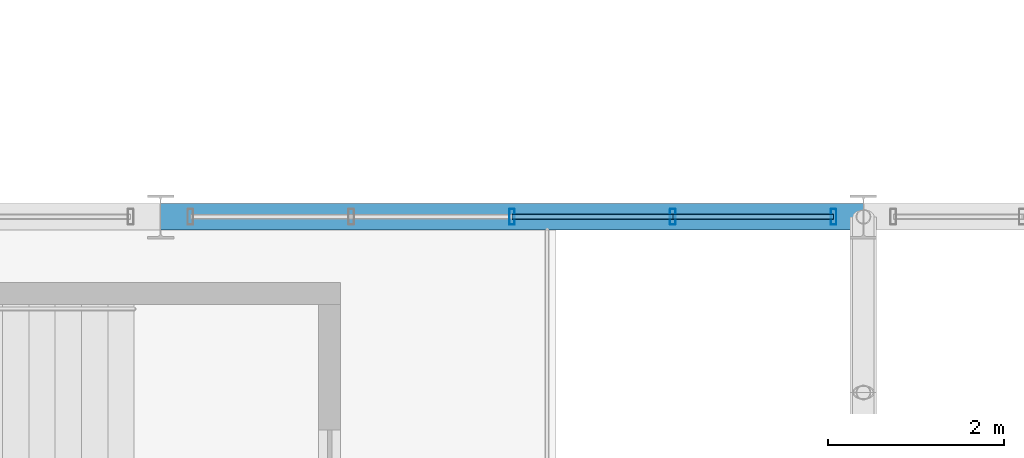
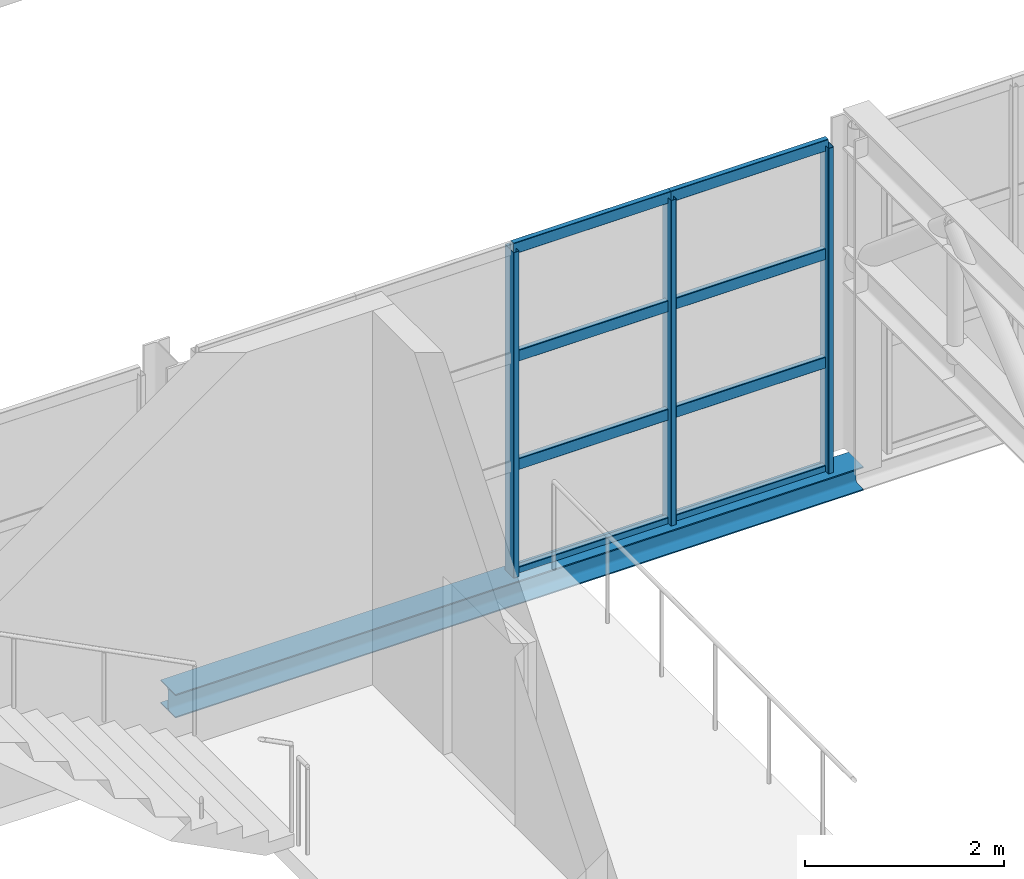
# One storey, part 29 of 67: 11 members, 1 beam, 1 element without a shape of its own.
"""IFC4 building model written with IfcOpenShell, lengths in metres."""

from ifc_helpers import new_model, si_unit, derived_unit, direction, frame, origin, origin_2d, place, context, subcontext, project, spatial, hollow_rectangle, i_section, extrude, material, material_profile, profile_set, type_object, element, aggregate, save


model = new_model("IFC4")

# Units and contexts
model_context = context("Model", 3, precision=1e-05, world=origin(), true_north=direction((0.0, 1.0)))
body_context = subcontext(model_context, "Body", "Model", "MODEL_VIEW")
ifc_project = project(units=[si_unit("LENGTHUNIT", "METRE"), si_unit("AREAUNIT", "SQUARE_METRE"), si_unit("VOLUMEUNIT", "CUBIC_METRE"), si_unit("PLANEANGLEUNIT", "RADIAN"), si_unit("MASSUNIT", "GRAM", prefix="KILO"), derived_unit("THERMALTRANSMITTANCEUNIT", [(si_unit("POWERUNIT", "WATT"), 1), (si_unit("LENGTHUNIT", "METRE"), -2), (si_unit("THERMODYNAMICTEMPERATUREUNIT", "KELVIN"), -1)])], contexts=[model_context])

# Site, building, storey
site_placement = place(None, origin())
site = spatial("IfcSite", under=ifc_project, at=site_placement, CompositionType="ELEMENT")
building_placement = place(site_placement, origin())
building = spatial("IfcBuilding", under=site, at=building_placement, Name="Keldorne Ridge Multi-Sports Centre", CompositionType="ELEMENT")
storey_placement = place(building_placement, frame((0.0, 0.0, 14.0)))
storey = spatial("IfcBuildingStorey", under=building, at=storey_placement, Name="L03", CompositionType="ELEMENT", Elevation=14.0)

# Beam
ifc_material_1 = material(Name="Steel S355", Category="steel")
ifc_material_profile_1 = material_profile(ifc_material_1, i_section(OverallWidth=0.300048828125, OverallDepth=0.2900390625, WebThickness=0.008544921875, FlangeThickness=0.013916015625, FilletRadius=0.027099609375, at=origin_2d()), Name="HEA 300")
ifc_profile_set_1 = profile_set([ifc_material_profile_1], Name="Steel S355")
beam_type = type_object("IfcBeamType", Name="BM-SP-04", PredefinedType="SPANDREL", material=ifc_profile_set_1)
beam_placement = place(storey_placement, frame((112.0, 54.0, -0.14990234375), z_axis=(1.0, 0.0, 0.0), x_axis=(0.0, 1.0, 0.0)))
element("IfcBeam", 1, at=beam_placement, inside=storey, type_object=beam_type, Name="Stacked Courts spandrel L03.54.2", PredefinedType="SPANDREL", context=body_context, shape_type="SweptSolid", body=[
    extrude(i_section(OverallWidth=0.300048828125, OverallDepth=0.2900390625, WebThickness=0.008544921875, FlangeThickness=0.013916015625, FilletRadius=0.027099609375, at=origin_2d()), origin(), (0.0, 0.0, 1.0), 8.0),
])

# Curtain wall, members
ifc_material_2 = material(Name="Anodized aluminium", Category="aluminium")
curtain_wall_type = type_object("IfcCurtainWallType", Name="CW-CW-03", PredefinedType="NOTDEFINED", material=ifc_material_2)
curtain_wall_placement = place(storey_placement, origin())
curtain_wall = element("IfcCurtainWall", 2, at=curtain_wall_placement, inside=storey, type_object=curtain_wall_type, Name="Upper Courts north clerestory 099", PredefinedType="NOTDEFINED")
ifc_material_profile_2 = material_profile(ifc_material_2, hollow_rectangle(XDim=0.06494140625, YDim=0.179931640625, WallThickness=0.00439453125, InnerFilletRadius=0.00439453125, OuterFilletRadius=0.009033203125, at=origin_2d()), Name="ALU MULLION 180x65x4.5")
ifc_profile_set_2 = profile_set([ifc_material_profile_2], Name="Anodized aluminium")
member_type_1 = type_object("IfcMemberType", Name="MEM-ML-01", PredefinedType="MULLION", material=ifc_profile_set_2)
member_1_placement = place(storey_placement, frame((119.659912109375, 54.0, 0.0), z_axis=(0.0, 0.0, 1.0), x_axis=(1.0, 0.0, 0.0)))
member_1 = element("IfcMember", 3, at=member_1_placement, type_object=member_type_1, Name="CW-099 vertical mullion 1", PredefinedType="MULLION", context=body_context, shape_type="SweptSolid", body=[
    extrude(hollow_rectangle(XDim=0.06494140625, YDim=0.179931640625, WallThickness=0.00439453125, InnerFilletRadius=0.00439453125, OuterFilletRadius=0.009033203125, at=origin_2d()), origin(), (0.0, 0.0, 1.0), 4.0),
])
member_2_placement = place(storey_placement, frame((117.830078125, 54.0, 0.0), z_axis=(0.0, 0.0, 1.0), x_axis=(1.0, 0.0, 0.0)))
member_2 = element("IfcMember", 4, at=member_2_placement, type_object=member_type_1, Name="CW-099 vertical mullion 2", PredefinedType="MULLION", context=body_context, shape_type="SweptSolid", body=[
    extrude(hollow_rectangle(XDim=0.06494140625, YDim=0.179931640625, WallThickness=0.00439453125, InnerFilletRadius=0.00439453125, OuterFilletRadius=0.009033203125, at=origin_2d()), origin(), (0.0, 0.0, 1.0), 4.0),
])
member_3_placement = place(storey_placement, frame((116.0, 54.0, 0.0), z_axis=(0.0, 0.0, 1.0), x_axis=(1.0, 0.0, 0.0)))
member_3 = element("IfcMember", 5, at=member_3_placement, type_object=member_type_1, Name="CW-099 vertical mullion 3", PredefinedType="MULLION", context=body_context, shape_type="SweptSolid", body=[
    extrude(hollow_rectangle(XDim=0.06494140625, YDim=0.179931640625, WallThickness=0.00439453125, InnerFilletRadius=0.00439453125, OuterFilletRadius=0.009033203125, at=origin_2d()), origin(), (0.0, 0.0, 1.0), 4.0),
])
ifc_material_profile_3 = material_profile(ifc_material_2, hollow_rectangle(XDim=0.06494140625, YDim=0.139892578125, WallThickness=0.00439453125, InnerFilletRadius=0.00439453125, OuterFilletRadius=0.009033203125, at=origin_2d()), Name="ALU TRANSOM 140x65x4.5")
ifc_profile_set_3 = profile_set([ifc_material_profile_3], Name="Anodized aluminium")
member_type_2 = type_object("IfcMemberType", Name="MEM-TR-01", PredefinedType="USERDEFINED", material=ifc_profile_set_3)
member_4_placement = place(storey_placement, frame((119.659912109375, 54.0, 0.0), z_axis=(-1.0, 0.0, 0.0), x_axis=(0.0, -1.0, 0.0)))
member_4 = element("IfcMember", 6, at=member_4_placement, type_object=member_type_2, Name="CW-099 transom 1.1", ObjectType="TRANSOM", PredefinedType="USERDEFINED", context=body_context, shape_type="SweptSolid", body=[
    extrude(hollow_rectangle(XDim=0.06494140625, YDim=0.139892578125, WallThickness=0.00439453125, InnerFilletRadius=0.00439453125, OuterFilletRadius=0.009033203125, at=origin_2d()), origin(), (0.0, 0.0, 1.0), 1.829833984375),
])
member_5_placement = place(storey_placement, frame((119.659912109375, 54.0, 1.333251953125), z_axis=(-1.0, 0.0, 0.0), x_axis=(0.0, -1.0, 0.0)))
member_5 = element("IfcMember", 7, at=member_5_placement, type_object=member_type_2, Name="CW-099 transom 1.2", ObjectType="TRANSOM", PredefinedType="USERDEFINED", context=body_context, shape_type="SweptSolid", body=[
    extrude(hollow_rectangle(XDim=0.06494140625, YDim=0.139892578125, WallThickness=0.00439453125, InnerFilletRadius=0.00439453125, OuterFilletRadius=0.009033203125, at=origin_2d()), origin(), (0.0, 0.0, 1.0), 1.829833984375),
])
member_6_placement = place(storey_placement, frame((119.659912109375, 54.0, 2.666748046875), z_axis=(-1.0, 0.0, 0.0), x_axis=(0.0, -1.0, 0.0)))
member_6 = element("IfcMember", 8, at=member_6_placement, type_object=member_type_2, Name="CW-099 transom 1.3", ObjectType="TRANSOM", PredefinedType="USERDEFINED", context=body_context, shape_type="SweptSolid", body=[
    extrude(hollow_rectangle(XDim=0.06494140625, YDim=0.139892578125, WallThickness=0.00439453125, InnerFilletRadius=0.00439453125, OuterFilletRadius=0.009033203125, at=origin_2d()), origin(), (0.0, 0.0, 1.0), 1.829833984375),
])
member_7_placement = place(storey_placement, frame((119.659912109375, 54.0, 4.0), z_axis=(-1.0, 0.0, 0.0), x_axis=(0.0, -1.0, 0.0)))
member_7 = element("IfcMember", 9, at=member_7_placement, type_object=member_type_2, Name="CW-099 transom 1.4", ObjectType="TRANSOM", PredefinedType="USERDEFINED", context=body_context, shape_type="SweptSolid", body=[
    extrude(hollow_rectangle(XDim=0.06494140625, YDim=0.139892578125, WallThickness=0.00439453125, InnerFilletRadius=0.00439453125, OuterFilletRadius=0.009033203125, at=origin_2d()), origin(), (0.0, 0.0, 1.0), 1.829833984375),
])
member_8_placement = place(storey_placement, frame((117.830078125, 54.0, 0.0), z_axis=(-1.0, 0.0, 0.0), x_axis=(0.0, -1.0, 0.0)))
member_8 = element("IfcMember", 10, at=member_8_placement, type_object=member_type_2, Name="CW-099 transom 2.1", ObjectType="TRANSOM", PredefinedType="USERDEFINED", context=body_context, shape_type="SweptSolid", body=[
    extrude(hollow_rectangle(XDim=0.06494140625, YDim=0.139892578125, WallThickness=0.00439453125, InnerFilletRadius=0.00439453125, OuterFilletRadius=0.009033203125, at=origin_2d()), origin(), (0.0, 0.0, 1.0), 1.830078125),
])
member_9_placement = place(storey_placement, frame((117.830078125, 54.0, 1.333251953125), z_axis=(-1.0, 0.0, 0.0), x_axis=(0.0, -1.0, 0.0)))
member_9 = element("IfcMember", 11, at=member_9_placement, type_object=member_type_2, Name="CW-099 transom 2.2", ObjectType="TRANSOM", PredefinedType="USERDEFINED", context=body_context, shape_type="SweptSolid", body=[
    extrude(hollow_rectangle(XDim=0.06494140625, YDim=0.139892578125, WallThickness=0.00439453125, InnerFilletRadius=0.00439453125, OuterFilletRadius=0.009033203125, at=origin_2d()), origin(), (0.0, 0.0, 1.0), 1.830078125),
])
member_10_placement = place(storey_placement, frame((117.830078125, 54.0, 2.666748046875), z_axis=(-1.0, 0.0, 0.0), x_axis=(0.0, -1.0, 0.0)))
member_10 = element("IfcMember", 12, at=member_10_placement, type_object=member_type_2, Name="CW-099 transom 2.3", ObjectType="TRANSOM", PredefinedType="USERDEFINED", context=body_context, shape_type="SweptSolid", body=[
    extrude(hollow_rectangle(XDim=0.06494140625, YDim=0.139892578125, WallThickness=0.00439453125, InnerFilletRadius=0.00439453125, OuterFilletRadius=0.009033203125, at=origin_2d()), origin(), (0.0, 0.0, 1.0), 1.830078125),
])
member_11_placement = place(storey_placement, frame((117.830078125, 54.0, 4.0), z_axis=(-1.0, 0.0, 0.0), x_axis=(0.0, -1.0, 0.0)))
member_11 = element("IfcMember", 13, at=member_11_placement, type_object=member_type_2, Name="CW-099 transom 2.4", ObjectType="TRANSOM", PredefinedType="USERDEFINED", context=body_context, shape_type="SweptSolid", body=[
    extrude(hollow_rectangle(XDim=0.06494140625, YDim=0.139892578125, WallThickness=0.00439453125, InnerFilletRadius=0.00439453125, OuterFilletRadius=0.009033203125, at=origin_2d()), origin(), (0.0, 0.0, 1.0), 1.830078125),
])
aggregate(curtain_wall, [member_1, member_2, member_3, member_4, member_5, member_6, member_7, member_8, member_9, member_10, member_11])

save(model, "model.ifc")
